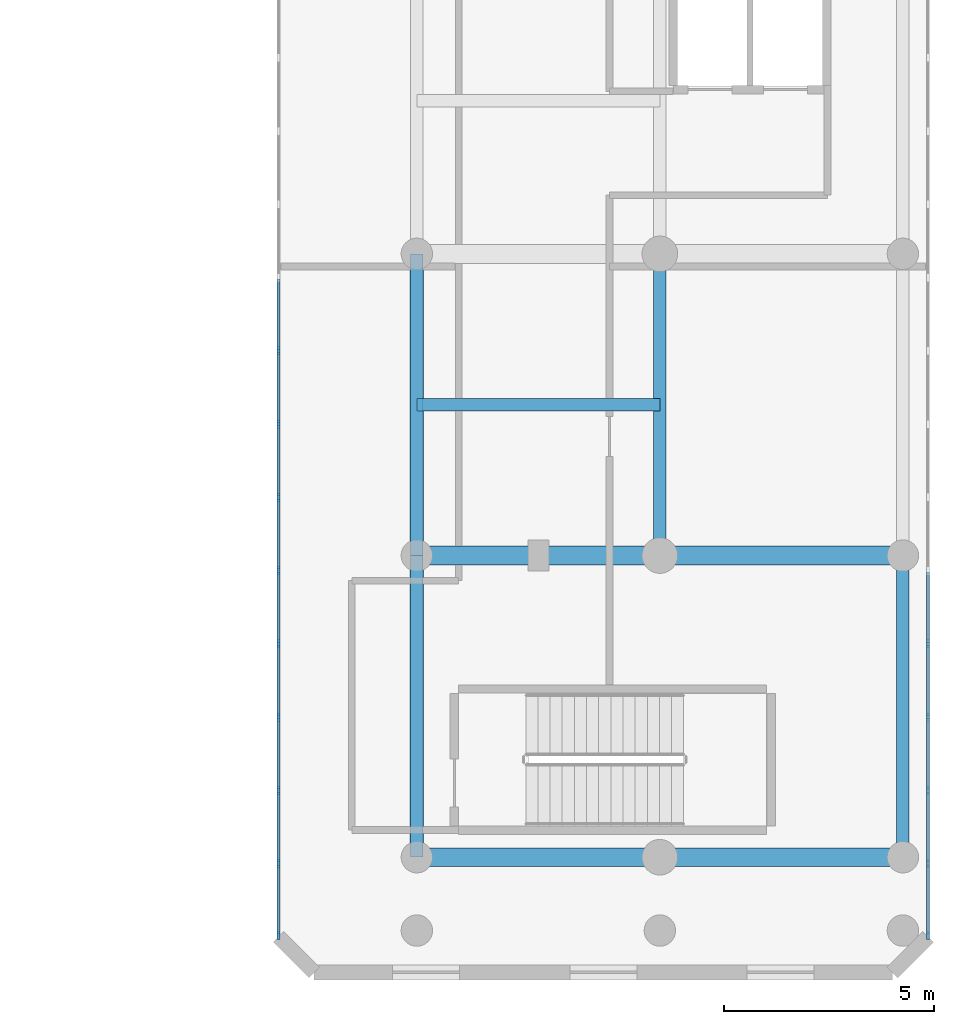
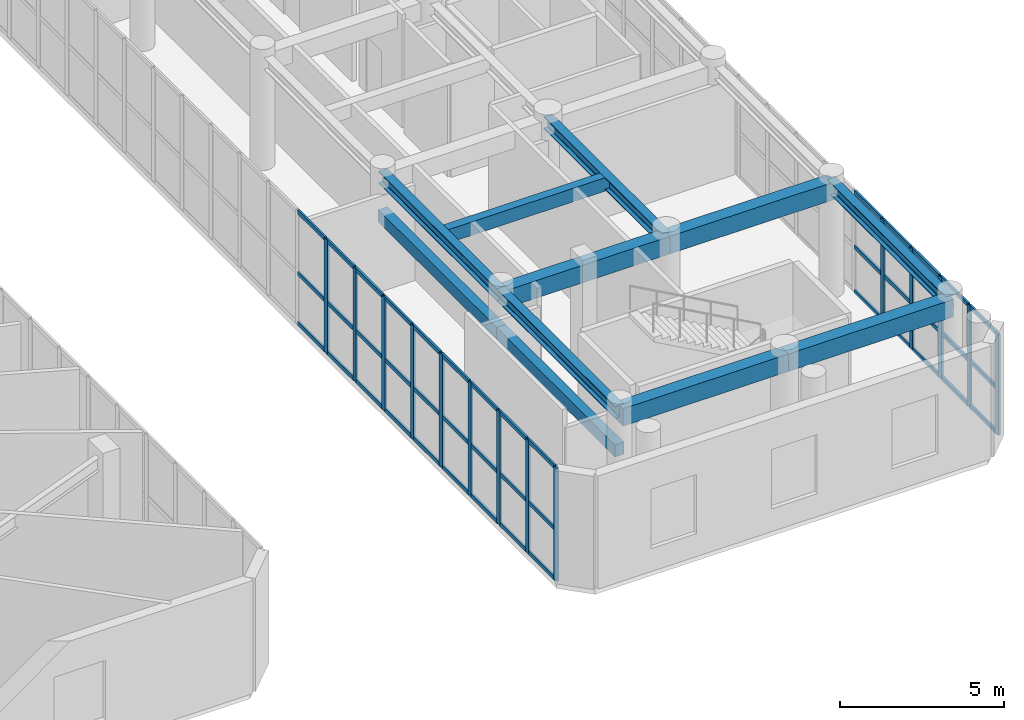
# One storey, part 6 of 26: 56 members, 11 beams, 2 elements without a shape of their own.
"""IFC4 building model written with IfcOpenShell, lengths in metres."""

from ifc_helpers import new_model, si_unit, direction, frame, origin, origin_with_axes, origin_2d, place, context, subcontext, project, spatial, rectangle, i_section, extrude, source, transform, mapped, material, layer, layer_set, material_profile, profile_set, type_object, element, aggregate, save


model = new_model("IFC4")

# Units and contexts
model_context = context("Model", 3, precision=1e-05, world=origin(), true_north=direction((0.0, 1.0)))
body_context = subcontext(model_context, "Body", "Model", "MODEL_VIEW")
ifc_project = project(units=[si_unit("LENGTHUNIT", "METRE"), si_unit("AREAUNIT", "SQUARE_METRE"), si_unit("VOLUMEUNIT", "CUBIC_METRE"), si_unit("PLANEANGLEUNIT", "RADIAN"), si_unit("MASSUNIT", "GRAM", prefix="KILO")], contexts=[model_context])

# Site, building, storey
site_placement = place(None, origin())
site = spatial("IfcSite", under=ifc_project, at=site_placement, CompositionType="ELEMENT")
building_placement = place(site_placement, origin())
building = spatial("IfcBuilding", under=site, at=building_placement, Name="Karkom Vertical University and Central Library", CompositionType="ELEMENT")
storey_placement = place(building_placement, frame((0.0, 0.0, 4.5)))
storey = spatial("IfcBuildingStorey", under=building, at=storey_placement, Name="L01", CompositionType="ELEMENT", Elevation=4.5)

# Beams
ifc_material_1 = material(Name="Concrete C40/50", Category="concrete")
ifc_material_profile_1 = material_profile(ifc_material_1, rectangle(XDim=0.449951171875, YDim=0.64990234375, at=origin_2d()), Name="RCB-450x650")
ifc_profile_set_1 = profile_set([ifc_material_profile_1], Name="Concrete C40/50")
beam_type_1 = type_object("IfcBeamType", Name="STR-BM-BG-4", PredefinedType="USERDEFINED", material=ifc_profile_set_1)
shared_shape_1 = source(origin_with_axes(), body_context, "Body", "SweptSolid", [
    extrude(rectangle(XDim=0.449951171875, YDim=0.64990234375, at=origin_2d()), origin(), (0.0, 0.0, 1.0), 5.7998046875),
])
for number, where, z_axis, x_axis, name in (
    (1, (69.60009765625, 4.800048828125, 3.875), (1.0, 0.0, 0.0), (0.0, 1.0, 0.0), "Level 01 Library Transverse Girder 1.1"),
    (2, (69.60009765625, 12.0, 3.875), (1.0, 0.0, 0.0), (0.0, 1.0, 0.0), "Level 01 Library Transverse Girder 2.1"),
):
    element("IfcBeam", number, at=place(storey_placement, frame(where, z_axis=z_axis, x_axis=x_axis)), inside=storey, type_object=beam_type_1, Name=name, ObjectType="GIRDER", PredefinedType="USERDEFINED", context=body_context, shape_type="MappedRepresentation", body=[
        mapped(shared_shape_1, transform((0.0, 0.0, 0.0), scale=1.0)),
    ])
shared_shape_2 = source(origin_with_axes(), body_context, "Body", "SweptSolid", [
    extrude(rectangle(XDim=0.449951171875, YDim=0.64990234375, at=origin_2d()), origin(), (0.0, 0.0, 1.0), 5.800048828125),
])
for number, where, z_axis, x_axis, name in (
    (3, (75.39990234375, 4.800048828125, 3.875), (1.0, 0.0, 0.0), (0.0, 1.0, 0.0), "Level 01 Library Transverse Girder 1.2"),
    (4, (75.39990234375, 12.0, 3.875), (1.0, 0.0, 0.0), (0.0, 1.0, 0.0), "Level 01 Library Transverse Girder 2.2"),
):
    element("IfcBeam", number, at=place(storey_placement, frame(where, z_axis=z_axis, x_axis=x_axis)), inside=storey, type_object=beam_type_1, Name=name, ObjectType="GIRDER", PredefinedType="USERDEFINED", context=body_context, shape_type="MappedRepresentation", body=[
        mapped(shared_shape_2, transform((0.0, 0.0, 0.0), scale=1.0)),
    ])
ifc_material_2 = material(Name="Steel S355", Category="steel")
ifc_material_profile_2 = material_profile(ifc_material_2, i_section(OverallWidth=0.300048828125, OverallDepth=0.449951171875, WebThickness=0.013916015625, FlangeThickness=0.02587890625, FilletRadius=0.027099609375, at=origin_2d()), Name="HE 450 B")
ifc_profile_set_2 = profile_set([ifc_material_profile_2], Name="Steel S355")
beam_type_2 = type_object("IfcBeamType", Name="STR-BM-SB-HE450", PredefinedType="BEAM", material=ifc_profile_set_2)
shared_shape_3 = source(origin_with_axes(), body_context, "Body", "SweptSolid", [
    extrude(i_section(OverallWidth=0.300048828125, OverallDepth=0.449951171875, WebThickness=0.013916015625, FlangeThickness=0.02587890625, FilletRadius=0.027099609375, at=origin_2d()), origin(), (0.0, 0.0, 1.0), 7.199951171875),
])
for number, where, z_axis, x_axis, name in (
    (5, (69.60009765625, 4.800048828125, 3.97509765625), (0.0, 1.0, 0.0), (-1.0, 0.0, 0.0), "Level 01 Library Longitudinal Beam 1.1"),
    (6, (69.60009765625, 12.0, 3.97509765625), (0.0, 1.0, 0.0), (-1.0, 0.0, 0.0), "Level 01 Library Longitudinal Beam 1.2"),
    (7, (75.39990234375, 12.0, 3.97509765625), (0.0, 1.0, 0.0), (-1.0, 0.0, 0.0), "Level 01 Library Longitudinal Beam 2.2"),
    (8, (81.199951171875, 4.800048828125, 3.97509765625), (0.0, 1.0, 0.0), (-1.0, 0.0, 0.0), "Level 01 Library Longitudinal Beam 3.1"),
):
    element("IfcBeam", number, at=place(storey_placement, frame(where, z_axis=z_axis, x_axis=x_axis)), inside=storey, type_object=beam_type_2, Name=name, PredefinedType="BEAM", context=body_context, shape_type="MappedRepresentation", body=[
        mapped(shared_shape_3, transform((0.0, 0.0, 0.0), scale=1.0)),
    ])
ifc_material_profile_3 = material_profile(ifc_material_1, rectangle(XDim=0.300048828125, YDim=0.5, at=origin_2d()), Name="RCJ-300x500")
ifc_profile_set_3 = profile_set([ifc_material_profile_3], Name="Concrete C40/50")
beam_type_3 = type_object("IfcBeamType", Name="STR-BM-JS-1", PredefinedType="JOIST", material=ifc_profile_set_3)
shared_shape_4 = source(origin_with_axes(), body_context, "Body", "SweptSolid", [
    extrude(rectangle(XDim=0.300048828125, YDim=0.5, at=origin_2d()), origin(), (0.0, 0.0, 1.0), 5.7998046875),
])
beam_placement = place(storey_placement, frame((69.60009765625, 15.60009765625, 3.949951171875), z_axis=(1.0, 0.0, 0.0), x_axis=(0.0, 1.0, 0.0)))
element("IfcBeam", 9, at=beam_placement, inside=storey, type_object=beam_type_3, Name="Level 01 Library Reading Coffered Joist 2", PredefinedType="JOIST", context=body_context, shape_type="MappedRepresentation", body=[
    mapped(shared_shape_4, transform((0.0, 0.0, 0.0), scale=1.0)),
])
ifc_material_3 = material(Name="Precast concrete C45/55", Category="concrete")
ifc_material_profile_4 = material_profile(ifc_material_3, rectangle(XDim=0.320068359375, YDim=0.449951171875, at=origin_2d()), Name="RCL-320x450")
ifc_profile_set_4 = profile_set([ifc_material_profile_4], Name="Precast concrete C45/55")
beam_type_4 = type_object("IfcBeamType", Name="STR-BM-LN-1", PredefinedType="LINTEL", material=ifc_profile_set_4)
shared_shape_5 = source(origin_with_axes(), body_context, "Body", "SweptSolid", [
    extrude(rectangle(XDim=0.320068359375, YDim=0.449951171875, at=origin_2d()), origin(), (0.0, 0.0, 1.0), 7.199951171875),
])
for number, where, z_axis, x_axis, name in (
    (10, (69.60009765625, 4.800048828125, 2.550048828125), (0.0, 1.0, 0.0), (-1.0, 0.0, 0.0), "Level 01 Brutalist Concrete Portal Lintel 1"),
    (11, (69.60009765625, 12.0, 2.550048828125), (0.0, 1.0, 0.0), (-1.0, 0.0, 0.0), "Level 01 Brutalist Concrete Portal Lintel 2"),
):
    element("IfcBeam", number, at=place(storey_placement, frame(where, z_axis=z_axis, x_axis=x_axis)), inside=storey, type_object=beam_type_4, Name=name, PredefinedType="LINTEL", context=body_context, shape_type="MappedRepresentation", body=[
        mapped(shared_shape_5, transform((0.0, 0.0, 0.0), scale=1.0)),
    ])

# Curtain wall, members
ifc_material_4 = material(Name="Aluminium curtain-wall framing and low-E IGU", Category="aluminium")
ifc_layer = layer(ifc_material_4, 0.199951171875)
ifc_layer_set = layer_set([ifc_layer], Name="Aluminium curtain-wall framing and low-E IGU")
curtain_wall_type = type_object("IfcCurtainWallType", Name="ENV-CW-1", PredefinedType="USERDEFINED", material=ifc_layer_set)
curtain_wall_1_placement = place(storey_placement, origin())
curtain_wall_1 = element("IfcCurtainWall", 12, at=curtain_wall_1_placement, inside=storey, type_object=curtain_wall_type, Name="Level 01 CW-1 Curtain Wall Level 01-CW-1-LIB-3", ObjectType="STICK MULLION GLAZING", PredefinedType="USERDEFINED")
ifc_material_5 = material(Name="Anodised Aluminium 6063-T6", Category="aluminium")
ifc_material_profile_5 = material_profile(ifc_material_5, rectangle(XDim=0.070068359375, YDim=0.199951171875, at=origin_2d()), Name="ALU-M70x200")
ifc_profile_set_5 = profile_set([ifc_material_profile_5], Name="Anodised Aluminium 6063-T6")
member_type_1 = type_object("IfcMemberType", Name="ENV-MEM-ALU-M70x200", PredefinedType="MULLION", material=ifc_profile_set_5)
shared_shape_6 = source(origin_with_axes(), body_context, "Body", "SweptSolid", [
    extrude(rectangle(XDim=0.070068359375, YDim=0.199951171875, at=origin_2d()), origin(), (0.0, 0.0, 1.0), 3.75),
])
member_1_placement = place(storey_placement, frame((81.800048828125, 2.93505859375, 0.0), z_axis=(0.0, 0.0, 1.0), x_axis=(-1.0, 0.0, 0.0)))
member_1 = element("IfcMember", 13, at=member_1_placement, type_object=member_type_1, Name="CW-1 mullion 1", PredefinedType="MULLION", context=body_context, shape_type="MappedRepresentation", body=[
    mapped(shared_shape_6, transform((0.0, 0.0, 0.0), scale=1.0)),
])
member_2_placement = place(storey_placement, frame((81.800048828125, 4.648193359375, 0.0), z_axis=(0.0, 0.0, 1.0), x_axis=(-1.0, 0.0, 0.0)))
member_2 = element("IfcMember", 14, at=member_2_placement, type_object=member_type_1, Name="CW-1 mullion 2", PredefinedType="MULLION", context=body_context, shape_type="MappedRepresentation", body=[
    mapped(shared_shape_6, transform((0.0, 0.0, 0.0), scale=1.0)),
])
member_3_placement = place(storey_placement, frame((81.800048828125, 6.396240234375, 0.0), z_axis=(0.0, 0.0, 1.0), x_axis=(-1.0, 0.0, 0.0)))
member_3 = element("IfcMember", 15, at=member_3_placement, type_object=member_type_1, Name="CW-1 mullion 3", PredefinedType="MULLION", context=body_context, shape_type="MappedRepresentation", body=[
    mapped(shared_shape_6, transform((0.0, 0.0, 0.0), scale=1.0)),
])
member_4_placement = place(storey_placement, frame((81.800048828125, 8.14453125, 0.0), z_axis=(0.0, 0.0, 1.0), x_axis=(-1.0, 0.0, 0.0)))
member_4 = element("IfcMember", 16, at=member_4_placement, type_object=member_type_1, Name="CW-1 mullion 4", PredefinedType="MULLION", context=body_context, shape_type="MappedRepresentation", body=[
    mapped(shared_shape_6, transform((0.0, 0.0, 0.0), scale=1.0)),
])
member_5_placement = place(storey_placement, frame((81.800048828125, 9.892578125, 0.0), z_axis=(0.0, 0.0, 1.0), x_axis=(-1.0, 0.0, 0.0)))
member_5 = element("IfcMember", 17, at=member_5_placement, type_object=member_type_1, Name="CW-1 mullion 5", PredefinedType="MULLION", context=body_context, shape_type="MappedRepresentation", body=[
    mapped(shared_shape_6, transform((0.0, 0.0, 0.0), scale=1.0)),
])

curtain_wall_2_placement = place(storey_placement, origin())
curtain_wall_2 = element("IfcCurtainWall", 18, at=curtain_wall_2_placement, inside=storey, type_object=curtain_wall_type, Name="Level 01 CW-1 Curtain Wall Level 01-CW-1-LIB-7", ObjectType="STICK MULLION GLAZING", PredefinedType="USERDEFINED")
shared_shape_7 = source(origin_with_axes(), body_context, "Body", "SweptSolid", [
    extrude(rectangle(XDim=0.070068359375, YDim=0.199951171875, at=origin_2d()), origin(), (0.0, 0.0, 1.0), 4.199951171875),
])
member_6_placement = place(storey_placement, frame((66.300048828125, 16.88525390625, 0.0), z_axis=(0.0, 0.0, 1.0), x_axis=(1.0, 0.0, 0.0)))
member_6 = element("IfcMember", 19, at=member_6_placement, type_object=member_type_1, Name="CW-1 mullion 20", PredefinedType="MULLION", context=body_context, shape_type="MappedRepresentation", body=[
    mapped(shared_shape_7, transform((0.0, 0.0, 0.0), scale=1.0)),
])
member_7_placement = place(storey_placement, frame((66.300048828125, 15.136962890625, 0.0), z_axis=(0.0, 0.0, 1.0), x_axis=(1.0, 0.0, 0.0)))
member_7 = element("IfcMember", 20, at=member_7_placement, type_object=member_type_1, Name="CW-1 mullion 21", PredefinedType="MULLION", context=body_context, shape_type="MappedRepresentation", body=[
    mapped(shared_shape_7, transform((0.0, 0.0, 0.0), scale=1.0)),
])
member_8_placement = place(storey_placement, frame((66.300048828125, 13.388916015625, 0.0), z_axis=(0.0, 0.0, 1.0), x_axis=(1.0, 0.0, 0.0)))
member_8 = element("IfcMember", 21, at=member_8_placement, type_object=member_type_1, Name="CW-1 mullion 22", PredefinedType="MULLION", context=body_context, shape_type="MappedRepresentation", body=[
    mapped(shared_shape_7, transform((0.0, 0.0, 0.0), scale=1.0)),
])
member_9_placement = place(storey_placement, frame((66.300048828125, 11.640625, 0.0), z_axis=(0.0, 0.0, 1.0), x_axis=(1.0, 0.0, 0.0)))
member_9 = element("IfcMember", 22, at=member_9_placement, type_object=member_type_1, Name="CW-1 mullion 23", PredefinedType="MULLION", context=body_context, shape_type="MappedRepresentation", body=[
    mapped(shared_shape_7, transform((0.0, 0.0, 0.0), scale=1.0)),
])
member_10_placement = place(storey_placement, frame((66.300048828125, 9.892578125, 0.0), z_axis=(0.0, 0.0, 1.0), x_axis=(1.0, 0.0, 0.0)))
member_10 = element("IfcMember", 23, at=member_10_placement, type_object=member_type_1, Name="CW-1 mullion 24", PredefinedType="MULLION", context=body_context, shape_type="MappedRepresentation", body=[
    mapped(shared_shape_7, transform((0.0, 0.0, 0.0), scale=1.0)),
])
member_11_placement = place(storey_placement, frame((66.300048828125, 8.14453125, 0.0), z_axis=(0.0, 0.0, 1.0), x_axis=(1.0, 0.0, 0.0)))
member_11 = element("IfcMember", 24, at=member_11_placement, type_object=member_type_1, Name="CW-1 mullion 25", PredefinedType="MULLION", context=body_context, shape_type="MappedRepresentation", body=[
    mapped(shared_shape_7, transform((0.0, 0.0, 0.0), scale=1.0)),
])
member_12_placement = place(storey_placement, frame((66.300048828125, 6.396240234375, 0.0), z_axis=(0.0, 0.0, 1.0), x_axis=(1.0, 0.0, 0.0)))
member_12 = element("IfcMember", 25, at=member_12_placement, type_object=member_type_1, Name="CW-1 mullion 26", PredefinedType="MULLION", context=body_context, shape_type="MappedRepresentation", body=[
    mapped(shared_shape_7, transform((0.0, 0.0, 0.0), scale=1.0)),
])
member_13_placement = place(storey_placement, frame((66.300048828125, 4.648193359375, 0.0), z_axis=(0.0, 0.0, 1.0), x_axis=(1.0, 0.0, 0.0)))
member_13 = element("IfcMember", 26, at=member_13_placement, type_object=member_type_1, Name="CW-1 mullion 27", PredefinedType="MULLION", context=body_context, shape_type="MappedRepresentation", body=[
    mapped(shared_shape_7, transform((0.0, 0.0, 0.0), scale=1.0)),
])
member_14_placement = place(storey_placement, frame((66.300048828125, 2.93505859375, 0.0), z_axis=(0.0, 0.0, 1.0), x_axis=(1.0, 0.0, 0.0)))
member_14 = element("IfcMember", 27, at=member_14_placement, type_object=member_type_1, Name="CW-1 mullion 28", PredefinedType="MULLION", context=body_context, shape_type="MappedRepresentation", body=[
    mapped(shared_shape_7, transform((0.0, 0.0, 0.0), scale=1.0)),
])

# Member
ifc_material_profile_6 = material_profile(ifc_material_5, rectangle(XDim=0.070068359375, YDim=0.14990234375, at=origin_2d()), Name="ALU-T70x150")
ifc_profile_set_6 = profile_set([ifc_material_profile_6], Name="Anodised Aluminium 6063-T6")
member_type_2 = type_object("IfcMemberType", Name="ENV-MEM-ALU-T70x150", PredefinedType="USERDEFINED", material=ifc_profile_set_6)
shared_shape_8 = source(origin_with_axes(), body_context, "Body", "SweptSolid", [
    extrude(rectangle(XDim=0.070068359375, YDim=0.14990234375, at=origin_2d()), origin(), (0.0, 0.0, 1.0), 1.64306640625),
])
member_15_placement = place(storey_placement, frame((81.800048828125, 2.969970703125, 0.034912109375), z_axis=(0.0, 1.0, 0.0), x_axis=(-1.0, 0.0, 0.0)))
member_15 = element("IfcMember", 28, at=member_15_placement, type_object=member_type_2, Name="CW-1 transom 1.1", ObjectType="TRANSOM", PredefinedType="USERDEFINED", context=body_context, shape_type="MappedRepresentation", body=[
    mapped(shared_shape_8, transform((0.0, 0.0, 0.0), scale=1.0)),
])

member_16_placement = place(storey_placement, frame((81.800048828125, 2.969970703125, 1.6875), z_axis=(0.0, 1.0, 0.0), x_axis=(-1.0, 0.0, 0.0)))
member_16 = element("IfcMember", 29, at=member_16_placement, type_object=member_type_2, Name="CW-1 transom 1.2", ObjectType="TRANSOM", PredefinedType="USERDEFINED", context=body_context, shape_type="MappedRepresentation", body=[
    mapped(shared_shape_8, transform((0.0, 0.0, 0.0), scale=1.0)),
])

member_17_placement = place(storey_placement, frame((81.800048828125, 2.969970703125, 3.715087890625), z_axis=(0.0, 1.0, 0.0), x_axis=(-1.0, 0.0, 0.0)))
member_17 = element("IfcMember", 30, at=member_17_placement, type_object=member_type_2, Name="CW-1 transom 1.3", ObjectType="TRANSOM", PredefinedType="USERDEFINED", context=body_context, shape_type="MappedRepresentation", body=[
    mapped(shared_shape_8, transform((0.0, 0.0, 0.0), scale=1.0)),
])

member_18_placement = place(storey_placement, frame((66.300048828125, 4.613037109375, 0.034912109375), z_axis=(0.0, -1.0, 0.0), x_axis=(1.0, 0.0, 0.0)))
member_18 = element("IfcMember", 31, at=member_18_placement, type_object=member_type_2, Name="CW-1 transom 27.1", ObjectType="TRANSOM", PredefinedType="USERDEFINED", context=body_context, shape_type="MappedRepresentation", body=[
    mapped(shared_shape_8, transform((0.0, 0.0, 0.0), scale=1.0)),
])

member_19_placement = place(storey_placement, frame((66.300048828125, 4.613037109375, 1.889892578125), z_axis=(0.0, -1.0, 0.0), x_axis=(1.0, 0.0, 0.0)))
member_19 = element("IfcMember", 32, at=member_19_placement, type_object=member_type_2, Name="CW-1 transom 27.2", ObjectType="TRANSOM", PredefinedType="USERDEFINED", context=body_context, shape_type="MappedRepresentation", body=[
    mapped(shared_shape_8, transform((0.0, 0.0, 0.0), scale=1.0)),
])

member_20_placement = place(storey_placement, frame((66.300048828125, 4.613037109375, 4.1650390625), z_axis=(0.0, -1.0, 0.0), x_axis=(1.0, 0.0, 0.0)))
member_20 = element("IfcMember", 33, at=member_20_placement, type_object=member_type_2, Name="CW-1 transom 27.3", ObjectType="TRANSOM", PredefinedType="USERDEFINED", context=body_context, shape_type="MappedRepresentation", body=[
    mapped(shared_shape_8, transform((0.0, 0.0, 0.0), scale=1.0)),
])

shared_shape_9 = source(origin_with_axes(), body_context, "Body", "SweptSolid", [
    extrude(rectangle(XDim=0.070068359375, YDim=0.14990234375, at=origin_2d()), origin(), (0.0, 0.0, 1.0), 1.67822265625),
])
member_21_placement = place(storey_placement, frame((81.800048828125, 4.68310546875, 0.034912109375), z_axis=(0.0, 1.0, 0.0), x_axis=(-1.0, 0.0, 0.0)))
member_21 = element("IfcMember", 34, at=member_21_placement, type_object=member_type_2, Name="CW-1 transom 2.1", ObjectType="TRANSOM", PredefinedType="USERDEFINED", context=body_context, shape_type="MappedRepresentation", body=[
    mapped(shared_shape_9, transform((0.0, 0.0, 0.0), scale=1.0)),
])

member_22_placement = place(storey_placement, frame((81.800048828125, 4.68310546875, 1.6875), z_axis=(0.0, 1.0, 0.0), x_axis=(-1.0, 0.0, 0.0)))
member_22 = element("IfcMember", 35, at=member_22_placement, type_object=member_type_2, Name="CW-1 transom 2.2", ObjectType="TRANSOM", PredefinedType="USERDEFINED", context=body_context, shape_type="MappedRepresentation", body=[
    mapped(shared_shape_9, transform((0.0, 0.0, 0.0), scale=1.0)),
])

member_23_placement = place(storey_placement, frame((81.800048828125, 4.68310546875, 3.715087890625), z_axis=(0.0, 1.0, 0.0), x_axis=(-1.0, 0.0, 0.0)))
member_23 = element("IfcMember", 36, at=member_23_placement, type_object=member_type_2, Name="CW-1 transom 2.3", ObjectType="TRANSOM", PredefinedType="USERDEFINED", context=body_context, shape_type="MappedRepresentation", body=[
    mapped(shared_shape_9, transform((0.0, 0.0, 0.0), scale=1.0)),
])

member_24_placement = place(storey_placement, frame((81.800048828125, 8.179443359375, 0.034912109375), z_axis=(0.0, 1.0, 0.0), x_axis=(-1.0, 0.0, 0.0)))
member_24 = element("IfcMember", 37, at=member_24_placement, type_object=member_type_2, Name="CW-1 transom 4.1", ObjectType="TRANSOM", PredefinedType="USERDEFINED", context=body_context, shape_type="MappedRepresentation", body=[
    mapped(shared_shape_9, transform((0.0, 0.0, 0.0), scale=1.0)),
])

member_25_placement = place(storey_placement, frame((81.800048828125, 8.179443359375, 1.6875), z_axis=(0.0, 1.0, 0.0), x_axis=(-1.0, 0.0, 0.0)))
member_25 = element("IfcMember", 38, at=member_25_placement, type_object=member_type_2, Name="CW-1 transom 4.2", ObjectType="TRANSOM", PredefinedType="USERDEFINED", context=body_context, shape_type="MappedRepresentation", body=[
    mapped(shared_shape_9, transform((0.0, 0.0, 0.0), scale=1.0)),
])

member_26_placement = place(storey_placement, frame((81.800048828125, 8.179443359375, 3.715087890625), z_axis=(0.0, 1.0, 0.0), x_axis=(-1.0, 0.0, 0.0)))
member_26 = element("IfcMember", 39, at=member_26_placement, type_object=member_type_2, Name="CW-1 transom 4.3", ObjectType="TRANSOM", PredefinedType="USERDEFINED", context=body_context, shape_type="MappedRepresentation", body=[
    mapped(shared_shape_9, transform((0.0, 0.0, 0.0), scale=1.0)),
])

member_27_placement = place(storey_placement, frame((81.800048828125, 9.927490234375, 0.034912109375), z_axis=(0.0, 1.0, 0.0), x_axis=(-1.0, 0.0, 0.0)))
member_27 = element("IfcMember", 40, at=member_27_placement, type_object=member_type_2, Name="CW-1 transom 5.1", ObjectType="TRANSOM", PredefinedType="USERDEFINED", context=body_context, shape_type="MappedRepresentation", body=[
    mapped(shared_shape_9, transform((0.0, 0.0, 0.0), scale=1.0)),
])

member_28_placement = place(storey_placement, frame((81.800048828125, 9.927490234375, 1.6875), z_axis=(0.0, 1.0, 0.0), x_axis=(-1.0, 0.0, 0.0)))
member_28 = element("IfcMember", 41, at=member_28_placement, type_object=member_type_2, Name="CW-1 transom 5.2", ObjectType="TRANSOM", PredefinedType="USERDEFINED", context=body_context, shape_type="MappedRepresentation", body=[
    mapped(shared_shape_9, transform((0.0, 0.0, 0.0), scale=1.0)),
])

member_29_placement = place(storey_placement, frame((81.800048828125, 9.927490234375, 3.715087890625), z_axis=(0.0, 1.0, 0.0), x_axis=(-1.0, 0.0, 0.0)))
member_29 = element("IfcMember", 42, at=member_29_placement, type_object=member_type_2, Name="CW-1 transom 5.3", ObjectType="TRANSOM", PredefinedType="USERDEFINED", context=body_context, shape_type="MappedRepresentation", body=[
    mapped(shared_shape_9, transform((0.0, 0.0, 0.0), scale=1.0)),
])

member_30_placement = place(storey_placement, frame((66.300048828125, 18.598388671875, 0.034912109375), z_axis=(0.0, -1.0, 0.0), x_axis=(1.0, 0.0, 0.0)))
member_30 = element("IfcMember", 43, at=member_30_placement, type_object=member_type_2, Name="CW-1 transom 19.1", ObjectType="TRANSOM", PredefinedType="USERDEFINED", context=body_context, shape_type="MappedRepresentation", body=[
    mapped(shared_shape_9, transform((0.0, 0.0, 0.0), scale=1.0)),
])

member_31_placement = place(storey_placement, frame((66.300048828125, 18.598388671875, 1.889892578125), z_axis=(0.0, -1.0, 0.0), x_axis=(1.0, 0.0, 0.0)))
member_31 = element("IfcMember", 44, at=member_31_placement, type_object=member_type_2, Name="CW-1 transom 19.2", ObjectType="TRANSOM", PredefinedType="USERDEFINED", context=body_context, shape_type="MappedRepresentation", body=[
    mapped(shared_shape_9, transform((0.0, 0.0, 0.0), scale=1.0)),
])

member_32_placement = place(storey_placement, frame((66.300048828125, 18.598388671875, 4.1650390625), z_axis=(0.0, -1.0, 0.0), x_axis=(1.0, 0.0, 0.0)))
member_32 = element("IfcMember", 45, at=member_32_placement, type_object=member_type_2, Name="CW-1 transom 19.3", ObjectType="TRANSOM", PredefinedType="USERDEFINED", context=body_context, shape_type="MappedRepresentation", body=[
    mapped(shared_shape_9, transform((0.0, 0.0, 0.0), scale=1.0)),
])

member_33_placement = place(storey_placement, frame((66.300048828125, 15.10205078125, 0.034912109375), z_axis=(0.0, -1.0, 0.0), x_axis=(1.0, 0.0, 0.0)))
member_33 = element("IfcMember", 46, at=member_33_placement, type_object=member_type_2, Name="CW-1 transom 21.1", ObjectType="TRANSOM", PredefinedType="USERDEFINED", context=body_context, shape_type="MappedRepresentation", body=[
    mapped(shared_shape_9, transform((0.0, 0.0, 0.0), scale=1.0)),
])

member_34_placement = place(storey_placement, frame((66.300048828125, 15.10205078125, 1.889892578125), z_axis=(0.0, -1.0, 0.0), x_axis=(1.0, 0.0, 0.0)))
member_34 = element("IfcMember", 47, at=member_34_placement, type_object=member_type_2, Name="CW-1 transom 21.2", ObjectType="TRANSOM", PredefinedType="USERDEFINED", context=body_context, shape_type="MappedRepresentation", body=[
    mapped(shared_shape_9, transform((0.0, 0.0, 0.0), scale=1.0)),
])

member_35_placement = place(storey_placement, frame((66.300048828125, 15.10205078125, 4.1650390625), z_axis=(0.0, -1.0, 0.0), x_axis=(1.0, 0.0, 0.0)))
member_35 = element("IfcMember", 48, at=member_35_placement, type_object=member_type_2, Name="CW-1 transom 21.3", ObjectType="TRANSOM", PredefinedType="USERDEFINED", context=body_context, shape_type="MappedRepresentation", body=[
    mapped(shared_shape_9, transform((0.0, 0.0, 0.0), scale=1.0)),
])

member_36_placement = place(storey_placement, frame((66.300048828125, 13.35400390625, 0.034912109375), z_axis=(0.0, -1.0, 0.0), x_axis=(1.0, 0.0, 0.0)))
member_36 = element("IfcMember", 49, at=member_36_placement, type_object=member_type_2, Name="CW-1 transom 22.1", ObjectType="TRANSOM", PredefinedType="USERDEFINED", context=body_context, shape_type="MappedRepresentation", body=[
    mapped(shared_shape_9, transform((0.0, 0.0, 0.0), scale=1.0)),
])

member_37_placement = place(storey_placement, frame((66.300048828125, 13.35400390625, 1.889892578125), z_axis=(0.0, -1.0, 0.0), x_axis=(1.0, 0.0, 0.0)))
member_37 = element("IfcMember", 50, at=member_37_placement, type_object=member_type_2, Name="CW-1 transom 22.2", ObjectType="TRANSOM", PredefinedType="USERDEFINED", context=body_context, shape_type="MappedRepresentation", body=[
    mapped(shared_shape_9, transform((0.0, 0.0, 0.0), scale=1.0)),
])

member_38_placement = place(storey_placement, frame((66.300048828125, 13.35400390625, 4.1650390625), z_axis=(0.0, -1.0, 0.0), x_axis=(1.0, 0.0, 0.0)))
member_38 = element("IfcMember", 51, at=member_38_placement, type_object=member_type_2, Name="CW-1 transom 22.3", ObjectType="TRANSOM", PredefinedType="USERDEFINED", context=body_context, shape_type="MappedRepresentation", body=[
    mapped(shared_shape_9, transform((0.0, 0.0, 0.0), scale=1.0)),
])

member_39_placement = place(storey_placement, frame((66.300048828125, 11.605712890625, 0.034912109375), z_axis=(0.0, -1.0, 0.0), x_axis=(1.0, 0.0, 0.0)))
member_39 = element("IfcMember", 52, at=member_39_placement, type_object=member_type_2, Name="CW-1 transom 23.1", ObjectType="TRANSOM", PredefinedType="USERDEFINED", context=body_context, shape_type="MappedRepresentation", body=[
    mapped(shared_shape_9, transform((0.0, 0.0, 0.0), scale=1.0)),
])

member_40_placement = place(storey_placement, frame((66.300048828125, 11.605712890625, 1.889892578125), z_axis=(0.0, -1.0, 0.0), x_axis=(1.0, 0.0, 0.0)))
member_40 = element("IfcMember", 53, at=member_40_placement, type_object=member_type_2, Name="CW-1 transom 23.2", ObjectType="TRANSOM", PredefinedType="USERDEFINED", context=body_context, shape_type="MappedRepresentation", body=[
    mapped(shared_shape_9, transform((0.0, 0.0, 0.0), scale=1.0)),
])

member_41_placement = place(storey_placement, frame((66.300048828125, 11.605712890625, 4.1650390625), z_axis=(0.0, -1.0, 0.0), x_axis=(1.0, 0.0, 0.0)))
member_41 = element("IfcMember", 54, at=member_41_placement, type_object=member_type_2, Name="CW-1 transom 23.3", ObjectType="TRANSOM", PredefinedType="USERDEFINED", context=body_context, shape_type="MappedRepresentation", body=[
    mapped(shared_shape_9, transform((0.0, 0.0, 0.0), scale=1.0)),
])

member_42_placement = place(storey_placement, frame((66.300048828125, 9.857666015625, 0.034912109375), z_axis=(0.0, -1.0, 0.0), x_axis=(1.0, 0.0, 0.0)))
member_42 = element("IfcMember", 55, at=member_42_placement, type_object=member_type_2, Name="CW-1 transom 24.1", ObjectType="TRANSOM", PredefinedType="USERDEFINED", context=body_context, shape_type="MappedRepresentation", body=[
    mapped(shared_shape_9, transform((0.0, 0.0, 0.0), scale=1.0)),
])

member_43_placement = place(storey_placement, frame((66.300048828125, 9.857666015625, 1.889892578125), z_axis=(0.0, -1.0, 0.0), x_axis=(1.0, 0.0, 0.0)))
member_43 = element("IfcMember", 56, at=member_43_placement, type_object=member_type_2, Name="CW-1 transom 24.2", ObjectType="TRANSOM", PredefinedType="USERDEFINED", context=body_context, shape_type="MappedRepresentation", body=[
    mapped(shared_shape_9, transform((0.0, 0.0, 0.0), scale=1.0)),
])

member_44_placement = place(storey_placement, frame((66.300048828125, 9.857666015625, 4.1650390625), z_axis=(0.0, -1.0, 0.0), x_axis=(1.0, 0.0, 0.0)))
member_44 = element("IfcMember", 57, at=member_44_placement, type_object=member_type_2, Name="CW-1 transom 24.3", ObjectType="TRANSOM", PredefinedType="USERDEFINED", context=body_context, shape_type="MappedRepresentation", body=[
    mapped(shared_shape_9, transform((0.0, 0.0, 0.0), scale=1.0)),
])

member_45_placement = place(storey_placement, frame((66.300048828125, 6.361328125, 0.034912109375), z_axis=(0.0, -1.0, 0.0), x_axis=(1.0, 0.0, 0.0)))
member_45 = element("IfcMember", 58, at=member_45_placement, type_object=member_type_2, Name="CW-1 transom 26.1", ObjectType="TRANSOM", PredefinedType="USERDEFINED", context=body_context, shape_type="MappedRepresentation", body=[
    mapped(shared_shape_9, transform((0.0, 0.0, 0.0), scale=1.0)),
])

member_46_placement = place(storey_placement, frame((66.300048828125, 6.361328125, 1.889892578125), z_axis=(0.0, -1.0, 0.0), x_axis=(1.0, 0.0, 0.0)))
member_46 = element("IfcMember", 59, at=member_46_placement, type_object=member_type_2, Name="CW-1 transom 26.2", ObjectType="TRANSOM", PredefinedType="USERDEFINED", context=body_context, shape_type="MappedRepresentation", body=[
    mapped(shared_shape_9, transform((0.0, 0.0, 0.0), scale=1.0)),
])

member_47_placement = place(storey_placement, frame((66.300048828125, 6.361328125, 4.1650390625), z_axis=(0.0, -1.0, 0.0), x_axis=(1.0, 0.0, 0.0)))
member_47 = element("IfcMember", 60, at=member_47_placement, type_object=member_type_2, Name="CW-1 transom 26.3", ObjectType="TRANSOM", PredefinedType="USERDEFINED", context=body_context, shape_type="MappedRepresentation", body=[
    mapped(shared_shape_9, transform((0.0, 0.0, 0.0), scale=1.0)),
])

shared_shape_10 = source(origin_with_axes(), body_context, "Body", "SweptSolid", [
    extrude(rectangle(XDim=0.070068359375, YDim=0.14990234375, at=origin_2d()), origin(), (0.0, 0.0, 1.0), 1.677978515625),
])
member_48_placement = place(storey_placement, frame((81.800048828125, 6.431396484375, 0.034912109375), z_axis=(0.0, 1.0, 0.0), x_axis=(-1.0, 0.0, 0.0)))
member_48 = element("IfcMember", 61, at=member_48_placement, type_object=member_type_2, Name="CW-1 transom 3.1", ObjectType="TRANSOM", PredefinedType="USERDEFINED", context=body_context, shape_type="MappedRepresentation", body=[
    mapped(shared_shape_10, transform((0.0, 0.0, 0.0), scale=1.0)),
])

member_49_placement = place(storey_placement, frame((81.800048828125, 6.431396484375, 1.6875), z_axis=(0.0, 1.0, 0.0), x_axis=(-1.0, 0.0, 0.0)))
member_49 = element("IfcMember", 62, at=member_49_placement, type_object=member_type_2, Name="CW-1 transom 3.2", ObjectType="TRANSOM", PredefinedType="USERDEFINED", context=body_context, shape_type="MappedRepresentation", body=[
    mapped(shared_shape_10, transform((0.0, 0.0, 0.0), scale=1.0)),
])

member_50_placement = place(storey_placement, frame((81.800048828125, 6.431396484375, 3.715087890625), z_axis=(0.0, 1.0, 0.0), x_axis=(-1.0, 0.0, 0.0)))
member_50 = element("IfcMember", 63, at=member_50_placement, type_object=member_type_2, Name="CW-1 transom 3.3", ObjectType="TRANSOM", PredefinedType="USERDEFINED", context=body_context, shape_type="MappedRepresentation", body=[
    mapped(shared_shape_10, transform((0.0, 0.0, 0.0), scale=1.0)),
])

aggregate(curtain_wall_1, [member_1, member_2, member_3, member_4, member_5, member_15, member_16, member_17, member_21, member_22, member_23, member_48, member_49, member_50, member_24, member_25, member_26, member_27, member_28, member_29])

member_51_placement = place(storey_placement, frame((66.300048828125, 16.85009765625, 0.034912109375), z_axis=(0.0, -1.0, 0.0), x_axis=(1.0, 0.0, 0.0)))
member_51 = element("IfcMember", 64, at=member_51_placement, type_object=member_type_2, Name="CW-1 transom 20.1", ObjectType="TRANSOM", PredefinedType="USERDEFINED", context=body_context, shape_type="MappedRepresentation", body=[
    mapped(shared_shape_10, transform((0.0, 0.0, 0.0), scale=1.0)),
])

member_52_placement = place(storey_placement, frame((66.300048828125, 16.85009765625, 1.889892578125), z_axis=(0.0, -1.0, 0.0), x_axis=(1.0, 0.0, 0.0)))
member_52 = element("IfcMember", 65, at=member_52_placement, type_object=member_type_2, Name="CW-1 transom 20.2", ObjectType="TRANSOM", PredefinedType="USERDEFINED", context=body_context, shape_type="MappedRepresentation", body=[
    mapped(shared_shape_10, transform((0.0, 0.0, 0.0), scale=1.0)),
])

member_53_placement = place(storey_placement, frame((66.300048828125, 16.85009765625, 4.1650390625), z_axis=(0.0, -1.0, 0.0), x_axis=(1.0, 0.0, 0.0)))
member_53 = element("IfcMember", 66, at=member_53_placement, type_object=member_type_2, Name="CW-1 transom 20.3", ObjectType="TRANSOM", PredefinedType="USERDEFINED", context=body_context, shape_type="MappedRepresentation", body=[
    mapped(shared_shape_10, transform((0.0, 0.0, 0.0), scale=1.0)),
])

member_54_placement = place(storey_placement, frame((66.300048828125, 8.109375, 0.034912109375), z_axis=(0.0, -1.0, 0.0), x_axis=(1.0, 0.0, 0.0)))
member_54 = element("IfcMember", 67, at=member_54_placement, type_object=member_type_2, Name="CW-1 transom 25.1", ObjectType="TRANSOM", PredefinedType="USERDEFINED", context=body_context, shape_type="MappedRepresentation", body=[
    mapped(shared_shape_10, transform((0.0, 0.0, 0.0), scale=1.0)),
])

member_55_placement = place(storey_placement, frame((66.300048828125, 8.109375, 1.889892578125), z_axis=(0.0, -1.0, 0.0), x_axis=(1.0, 0.0, 0.0)))
member_55 = element("IfcMember", 68, at=member_55_placement, type_object=member_type_2, Name="CW-1 transom 25.2", ObjectType="TRANSOM", PredefinedType="USERDEFINED", context=body_context, shape_type="MappedRepresentation", body=[
    mapped(shared_shape_10, transform((0.0, 0.0, 0.0), scale=1.0)),
])

member_56_placement = place(storey_placement, frame((66.300048828125, 8.109375, 4.1650390625), z_axis=(0.0, -1.0, 0.0), x_axis=(1.0, 0.0, 0.0)))
member_56 = element("IfcMember", 69, at=member_56_placement, type_object=member_type_2, Name="CW-1 transom 25.3", ObjectType="TRANSOM", PredefinedType="USERDEFINED", context=body_context, shape_type="MappedRepresentation", body=[
    mapped(shared_shape_10, transform((0.0, 0.0, 0.0), scale=1.0)),
])

aggregate(curtain_wall_2, [member_6, member_7, member_8, member_9, member_10, member_11, member_12, member_13, member_14, member_30, member_31, member_32, member_51, member_52, member_53, member_33, member_34, member_35, member_36, member_37, member_38, member_39, member_40, member_41, member_42, member_43, member_44, member_54, member_55, member_56, member_45, member_46, member_47, member_18, member_19, member_20])

save(model, "model.ifc")
